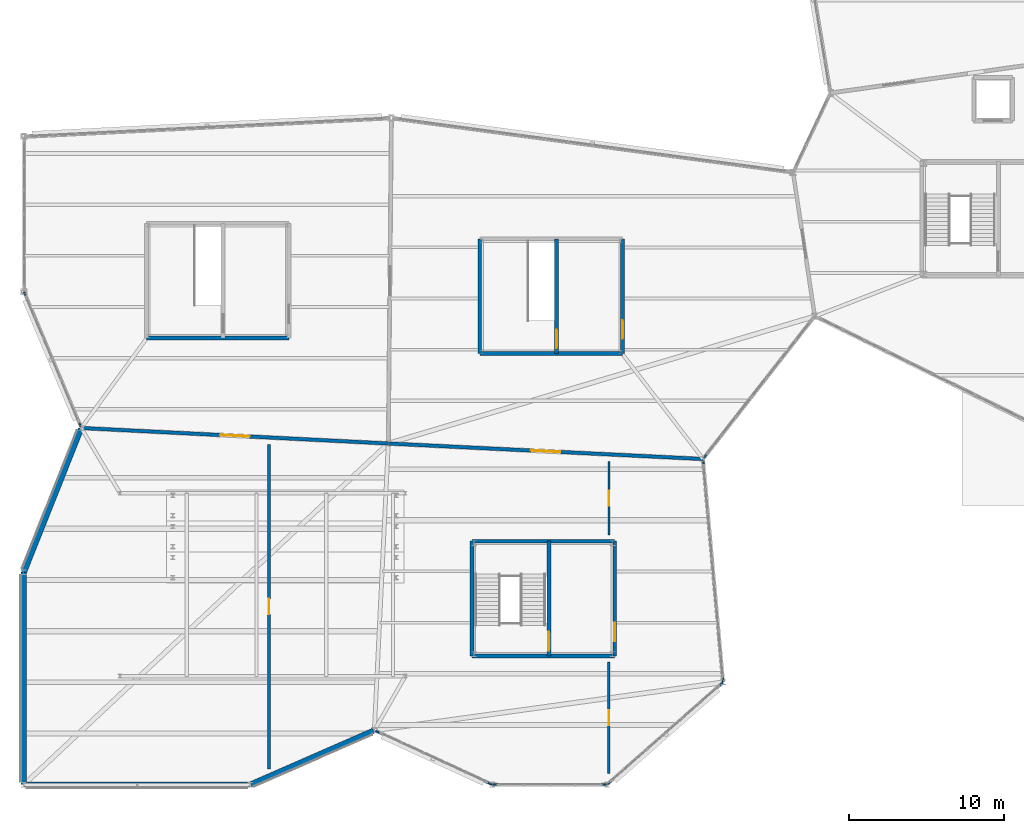
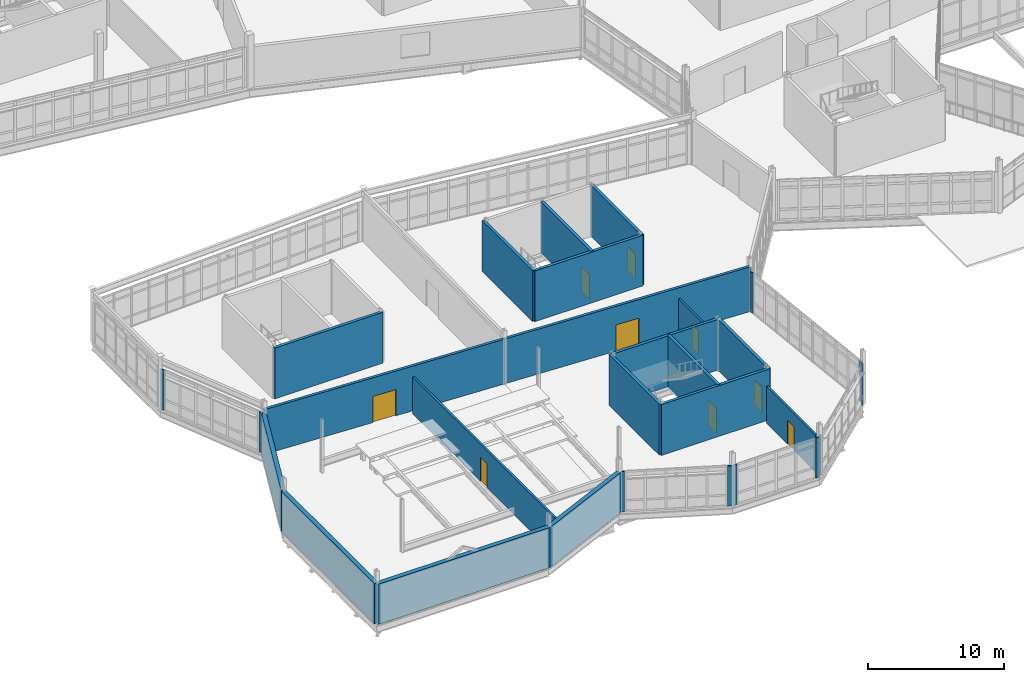
# One storey, part 105 of 134: 30 walls, 9 doors, 9 openings.
"""IFC4 building model written with IfcOpenShell, lengths in metres."""

from ifc_helpers import new_model, si_unit, direction, frame, frame_2d, origin, place, context, subcontext, project, spatial, rectangle, extrude, material, layer, layer_set, type_object, element, fill, save


model = new_model("IFC4")

# Units and contexts
model_context = context("Model", 3, precision=1e-05, world=origin(), true_north=direction((0.0, 1.0)))
body_context = subcontext(model_context, "Body", "Model", "MODEL_VIEW")
ifc_project = project(units=[si_unit("LENGTHUNIT", "METRE"), si_unit("AREAUNIT", "SQUARE_METRE"), si_unit("VOLUMEUNIT", "CUBIC_METRE"), si_unit("PLANEANGLEUNIT", "RADIAN"), si_unit("MASSUNIT", "GRAM", prefix="KILO")], contexts=[model_context])

# Site, building, storey
site_placement = place(None, origin())
site = spatial("IfcSite", under=ifc_project, at=site_placement, CompositionType="ELEMENT")
building_placement = place(site_placement, origin())
building = spatial("IfcBuilding", under=site, at=building_placement, Name="Tameran Prism Museum", CompositionType="ELEMENT")
storey_placement = place(building_placement, frame((0.0, 0.0, 5.39990234375)))
storey = spatial("IfcBuildingStorey", under=building, at=storey_placement, Name="L01", CompositionType="ELEMENT", Elevation=5.39990234375)

# Walls
ifc_material_1 = material(Name="Precast Concrete N40 (40 MPa)", Category="concrete")
ifc_layer_1 = layer(ifc_material_1, 0.360107421875)
ifc_layer_set_1 = layer_set([ifc_layer_1])
wall_type_1 = type_object("IfcWallType", Name="EW-AUD-360", PredefinedType="SOLIDWALL", material=ifc_layer_set_1)
wall_1_placement = place(storey_placement, frame((0.0, 13.699951171875, 0.0), z_axis=(0.0, 0.0, 1.0), x_axis=(0.36968498985, 0.929157149399, 0.0)))
element("IfcWall", 1, at=wall_1_placement, inside=storey, type_object=wall_type_1, Name="Exterior Fluted Precast Wall EW-0227", PredefinedType="SOLIDWALL", context=body_context, shape_type="SweptSolid", body=[
    extrude(rectangle(XDim=9.948974609375, YDim=0.360107421875, at=frame_2d((4.974609375, 0.0))), origin(), (0.0, 0.0, 1.0), 3.6201171875),
])
wall_2_placement = place(storey_placement, frame((0.0, 0.0, 0.0), z_axis=(0.0, 0.0, 1.0), x_axis=(0.0, 1.0, 0.0)))
element("IfcWall", 2, at=wall_2_placement, inside=storey, type_object=wall_type_1, Name="Exterior Fluted Precast Wall EW-0228", PredefinedType="SOLIDWALL", context=body_context, shape_type="SweptSolid", body=[
    extrude(rectangle(XDim=13.699951171875, YDim=0.360107421875, at=frame_2d((6.85009765625, 0.0))), origin(), (0.0, 0.0, 1.0), 3.6201171875),
])
wall_3_placement = place(storey_placement, frame((14.60009765625, 0.0, 0.0), z_axis=(0.0, 0.0, 1.0), x_axis=(-1.0, 0.0, 0.0)))
element("IfcWall", 3, at=wall_3_placement, inside=storey, type_object=wall_type_1, Name="Exterior Fluted Precast Wall EW-0229", PredefinedType="SOLIDWALL", context=body_context, shape_type="SweptSolid", body=[
    extrude(rectangle(XDim=14.60009765625, YDim=0.360107421875, at=frame_2d((7.300048828125, 0.0))), origin(), (0.0, 0.0, 1.0), 3.6201171875),
])
wall_4_placement = place(storey_placement, frame((22.544921875, 3.47607421875, 0.0), z_axis=(0.0, 0.0, 1.0), x_axis=(-0.916148288852, -0.400839510069, 0.0)))
element("IfcWall", 4, at=wall_4_placement, inside=storey, type_object=wall_type_1, Name="Exterior Fluted Precast Wall EW-0230", PredefinedType="SOLIDWALL", context=body_context, shape_type="SweptSolid", body=[
    extrude(rectangle(XDim=8.671875, YDim=0.360107421875, at=frame_2d((4.3359375, 0.0))), origin(), (0.0, 0.0, 1.0), 3.6201171875),
])
ifc_material_2 = material(Name="Precast Concrete N40 (40 MPa)", Category="concrete")
ifc_layer_2 = layer(ifc_material_2, 0.094970703125)
ifc_layer_set_2 = layer_set([ifc_layer_2])
wall_type_2 = type_object("IfcWallType", Name="EW-CLOS-095", PredefinedType="SOLIDWALL", material=ifc_layer_set_2)
for number, where, z_axis, x_axis, name in (
    (5, (30.162109375, 0.01806640625, 0.0), (0.0, 0.0, 1.0), (-0.9095772547, 0.415534857422, 0.0), "Facade Corner Closure EW-0231"),
    (6, (22.971923828125, 3.3291015625, 0.0), (0.0, 0.0, 1.0), (-0.9095772547, 0.415534857422, 0.0), "Facade Corner Closure EW-0232"),
):
    element("IfcWall", number, at=place(storey_placement, frame(where, z_axis=z_axis, x_axis=x_axis)), inside=storey, type_object=wall_type_2, Name=name, PredefinedType="SOLIDWALL", context=body_context, shape_type="SweptSolid", body=[
        extrude(rectangle(XDim=0.307861328125, YDim=0.094970703125, at=frame_2d((0.15380859375, 0.0))), origin(), (0.0, 0.0, 1.0), 3.6201171875),
    ])
for number, where, z_axis, x_axis, name in (
    (7, (37.55810546875, 0.0, 0.0), (0.0, 0.0, 1.0), (-1.0, 0.0, 0.0), "Facade Corner Closure EW-0233"),
    (8, (30.550048828125, 0.0, 0.0), (0.0, 0.0, 1.0), (-1.0, 0.0, 0.0), "Facade Corner Closure EW-0234"),
):
    element("IfcWall", number, at=place(storey_placement, frame(where, z_axis=z_axis, x_axis=x_axis)), inside=storey, type_object=wall_type_2, Name=name, PredefinedType="SOLIDWALL", context=body_context, shape_type="SweptSolid", body=[
        extrude(rectangle(XDim=0.30810546875, YDim=0.094970703125, at=frame_2d((0.154052734375, 0.0))), origin(), (0.0, 0.0, 1.0), 3.6201171875),
    ])
wall_5_placement = place(storey_placement, frame((45.068115234375, 6.572021484375, 0.0), z_axis=(0.0, 0.0, 1.0), x_axis=(-0.75124833206, -0.660019653932, 0.0)))
element("IfcWall", 9, at=wall_5_placement, inside=storey, type_object=wall_type_2, Name="Facade Corner Closure EW-0235", PredefinedType="SOLIDWALL", context=body_context, shape_type="SweptSolid", body=[
    extrude(rectangle(XDim=0.307861328125, YDim=0.094970703125, at=frame_2d((0.15380859375, 0.0))), origin(), (0.0, 0.0, 1.0), 3.6201171875),
])
wall_6_placement = place(storey_placement, frame((37.863037109375, 0.23095703125, 0.0), z_axis=(0.0, 0.0, 1.0), x_axis=(-0.751296149946, -0.659965222627, 0.0)))
element("IfcWall", 10, at=wall_6_placement, inside=storey, type_object=wall_type_2, Name="Facade Corner Closure EW-0236", PredefinedType="SOLIDWALL", context=body_context, shape_type="SweptSolid", body=[
    extrude(rectangle(XDim=0.307373046875, YDim=0.094970703125, at=frame_2d((0.15380859375, 0.0))), origin(), (0.0, 0.0, 1.0), 3.6201171875),
])
for number, where, z_axis, x_axis, name in (
    (11, (43.80908203125, 20.89794921875, 0.0), (0.0, 0.0, 1.0), (0.087176781459, -0.996192857219, 0.0), "Facade Corner Closure EW-0237"),
    (12, (45.069091796875, 6.948974609375, 0.0), (0.0, 0.0, 1.0), (0.087176781459, -0.996192857219, 0.0), "Facade Corner Closure EW-0238"),
    (13, (3.660888671875, 23.093994140625, 0.0), (0.0, 0.0, 1.0), (-0.38894215718, 0.921262176782, 0.0), "Facade Corner Closure EW-0243"),
    (14, (0.135986328125, 31.47705078125, 0.0), (0.0, 0.0, 1.0), (-0.38894215718, 0.921262176782, 0.0), "Facade Corner Closure EW-0244"),
):
    element("IfcWall", number, at=place(storey_placement, frame(where, z_axis=z_axis, x_axis=x_axis)), inside=storey, type_object=wall_type_2, Name=name, PredefinedType="SOLIDWALL", context=body_context, shape_type="SweptSolid", body=[
        extrude(rectangle(XDim=0.30810546875, YDim=0.094970703125, at=frame_2d((0.154052734375, 0.0))), origin(), (0.0, 0.0, 1.0), 3.6201171875),
    ])
wall_7_placement = place(storey_placement, frame((44.052978515625, 21.322998046875, 0.0), z_axis=(0.0, 0.0, 1.0), x_axis=(-0.615966636313, -0.787772240529, 0.0)))
element("IfcWall", 15, at=wall_7_placement, inside=storey, type_object=wall_type_2, Name="Facade Corner Closure EW-0246", PredefinedType="SOLIDWALL", context=body_context, shape_type="SweptSolid", body=[
    extrude(rectangle(XDim=0.308349609375, YDim=0.094970703125, at=frame_2d((0.154296875, 0.0))), origin(), (0.0, 0.0, 1.0), 3.6201171875),
])

# Wall, opening, door
ifc_material_3 = material(Name="Concrete N40 (40 MPa)", Category="concrete")
ifc_layer_3 = layer(ifc_material_3, 0.22509765625)
ifc_layer_set_3 = layer_set([ifc_layer_3])
wall_type_3 = type_object("IfcWallType", Name="IW-CMP-225", PredefinedType="SOLIDWALL", material=ifc_layer_set_3)
wall_8_placement = place(storey_placement, frame((23.5, 22.0, 0.0), z_axis=(0.0, 0.0, 1.0), x_axis=(-0.99872706092, 0.050440636263, 0.0)))
wall_8 = element("IfcWall", 16, at=wall_8_placement, inside=storey, type_object=wall_type_3, Name="Compartment Wall IW-0091", PredefinedType="SOLIDWALL", context=body_context, shape_type="SweptSolid", body=[
    extrude(rectangle(XDim=19.8251953125, YDim=0.22509765625, at=frame_2d((9.91259765625, 0.0))), origin(), (0.0, 0.0, 1.0), 4.02001953125),
])
opening_1_placement = place(wall_8_placement, frame((8.962890625, 0.0, 0.0)))
opening_1 = element("IfcOpeningElement", 17, at=opening_1_placement, cuts=wall_8, Name="Opening ID-0090", PredefinedType="OPENING", context=body_context, shape_type="SweptSolid", body=[
    extrude(rectangle(XDim=1.89990234375, YDim=2.35009765625, at=frame_2d((0.949951171875, 1.175048828125))), frame((0.0, 0.12255859375, 0.0), z_axis=(0.0, -1.0, 0.0), x_axis=(1.0, 0.0, 0.0)), (0.0, 0.0, 1.0), 0.2451171875),
])
ifc_material_4 = material(Name="Fire-Rated Steel Door Leaf and Frame", Category="steel")
door_type_1 = type_object("IfcDoorType", Name="DR-AUD-190", OperationType="DOUBLE_DOOR_SINGLE_SWING", PredefinedType="DOOR", material=ifc_material_4)
door_1_placement = place(opening_1_placement, origin())
door_1 = element("IfcDoor", 18, at=door_1_placement, inside=storey, type_object=door_type_1, Name="Compartment Door ID-0090", OperationType="DOUBLE_DOOR_SINGLE_SWING", OverallHeight=2.35009765625, OverallWidth=1.89990234375, PredefinedType="DOOR", context=body_context, shape_type="SweptSolid", body=[
    extrude(rectangle(XDim=1.89990234375, YDim=2.35009765625, at=frame_2d((0.949951171875, 1.175048828125))), frame((0.0, 0.02490234375, 0.0), z_axis=(0.0, -1.0, 0.0), x_axis=(1.0, 0.0, 0.0)), (0.0, 0.0, 1.0), 0.050048828125),
])
fill(opening_1, door_1)

wall_9_placement = place(storey_placement, frame((43.800048828125, 21.0, 0.0), z_axis=(0.0, 0.0, 1.0), x_axis=(-0.998788882418, 0.049201304434, 0.0)))
wall_9 = element("IfcWall", 19, at=wall_9_placement, inside=storey, type_object=wall_type_3, Name="Compartment Wall IW-0092", PredefinedType="SOLIDWALL", context=body_context, shape_type="SweptSolid", body=[
    extrude(rectangle(XDim=20.32470703125, YDim=0.22509765625, at=frame_2d((10.162353515625, 0.0))), origin(), (0.0, 0.0, 1.0), 4.02001953125),
])
opening_2_placement = place(wall_9_placement, frame((9.2119140625, 0.0, 0.0)))
opening_2 = element("IfcOpeningElement", 20, at=opening_2_placement, cuts=wall_9, Name="Opening ID-0091", PredefinedType="OPENING", context=body_context, shape_type="SweptSolid", body=[
    extrude(rectangle(XDim=1.89990234375, YDim=2.35009765625, at=frame_2d((0.949951171875, 1.175048828125))), frame((0.0, 0.12255859375, 0.0), z_axis=(0.0, -1.0, 0.0), x_axis=(1.0, 0.0, 0.0)), (0.0, 0.0, 1.0), 0.2451171875),
])
door_2_placement = place(opening_2_placement, origin())
door_2 = element("IfcDoor", 21, at=door_2_placement, inside=storey, type_object=door_type_1, Name="Compartment Door ID-0091", OperationType="DOUBLE_DOOR_SINGLE_SWING", OverallHeight=2.35009765625, OverallWidth=1.89990234375, PredefinedType="DOOR", context=body_context, shape_type="SweptSolid", body=[
    extrude(rectangle(XDim=1.89990234375, YDim=2.35009765625, at=frame_2d((0.949951171875, 1.175048828125))), frame((0.0, 0.02490234375, 0.0), z_axis=(0.0, -1.0, 0.0), x_axis=(1.0, 0.0, 0.0)), (0.0, 0.0, 1.0), 0.050048828125),
])
fill(opening_2, door_2)

# Walls
ifc_material_5 = material(Name="Concrete N40 (40 MPa)", Category="concrete")
ifc_layer_4 = layer(ifc_material_5, 0.25)
ifc_layer_set_4 = layer_set([ifc_layer_4])
wall_type_4 = type_object("IfcWallType", Name="IW-COR-250", PredefinedType="SHEAR", material=ifc_layer_set_4)
wall_10_placement = place(storey_placement, frame((28.89990234375, 8.300048828125, 0.0), z_axis=(0.0, 0.0, 1.0), x_axis=(0.0, 1.0, 0.0)))
element("IfcWall", 22, at=wall_10_placement, inside=storey, type_object=wall_type_4, Name="Core Shear Wall CW-6-L01-W", PredefinedType="SHEAR", context=body_context, shape_type="SweptSolid", body=[
    extrude(rectangle(XDim=7.39990234375, YDim=0.25, at=frame_2d((3.699951171875, 0.0))), origin(), (0.0, 0.0, 1.0), 4.56005859375),
])
for number, where, z_axis, x_axis, name in (
    (23, (28.89990234375, 15.699951171875, 0.0), (0.0, 0.0, 1.0), (1.0, 0.0, 0.0), "Core Shear Wall CW-6-L01-N"),
    (24, (38.10009765625, 8.300048828125, 0.0), (0.0, 0.0, 1.0), (-1.0, 0.0, 0.0), "Core Shear Wall CW-6-L01-S"),
):
    element("IfcWall", number, at=place(storey_placement, frame(where, z_axis=z_axis, x_axis=x_axis)), inside=storey, type_object=wall_type_4, Name=name, PredefinedType="SHEAR", context=body_context, shape_type="SweptSolid", body=[
        extrude(rectangle(XDim=9.2001953125, YDim=0.25, at=frame_2d((4.60009765625, 0.0))), origin(), (0.0, 0.0, 1.0), 4.56005859375),
    ])

# Wall, opening, door
wall_11_placement = place(storey_placement, frame((38.10009765625, 15.699951171875, 0.0), z_axis=(0.0, 0.0, 1.0), x_axis=(0.0, -1.0, 0.0)))
wall_11 = element("IfcWall", 25, at=wall_11_placement, inside=storey, type_object=wall_type_4, Name="Core Shear Wall CW-6-L01-E", PredefinedType="SHEAR", context=body_context, shape_type="SweptSolid", body=[
    extrude(rectangle(XDim=7.39990234375, YDim=0.25, at=frame_2d((3.699951171875, 0.0))), origin(), (0.0, 0.0, 1.0), 4.56005859375),
])
opening_3_placement = place(wall_11_placement, frame((5.25, 0.0, 0.0)))
opening_3 = element("IfcOpeningElement", 26, at=opening_3_placement, cuts=wall_11, Name="Opening FD-0255", PredefinedType="OPENING", context=body_context, shape_type="SweptSolid", body=[
    extrude(rectangle(XDim=1.199951171875, YDim=2.199951171875, at=frame_2d((0.60009765625, 1.10009765625))), frame((0.0, 0.135009765625, 0.0), z_axis=(0.0, -1.0, 0.0), x_axis=(1.0, 0.0, 0.0)), (0.0, 0.0, 1.0), 0.27001953125),
])
ifc_material_6 = material(Name="Fire-Rated Steel Door Leaf and Frame", Category="steel")
door_type_2 = type_object("IfcDoorType", Name="DR-FD-120A", OperationType="NOTDEFINED", PredefinedType="DOOR", material=ifc_material_6)
door_3_placement = place(opening_3_placement, origin())
door_3 = element("IfcDoor", 27, at=door_3_placement, inside=storey, type_object=door_type_2, Name="Core Fire Door FD-0255", OperationType="SINGLE_SWING_LEFT", OverallHeight=2.199951171875, OverallWidth=1.199951171875, PredefinedType="DOOR", context=body_context, shape_type="SweptSolid", body=[
    extrude(rectangle(XDim=1.199951171875, YDim=2.199951171875, at=frame_2d((0.60009765625, 1.10009765625))), frame((0.0, 0.02490234375, 0.0), z_axis=(0.0, -1.0, 0.0), x_axis=(1.0, 0.0, 0.0)), (0.0, 0.0, 1.0), 0.050048828125),
])
fill(opening_3, door_3)

wall_12_placement = place(storey_placement, frame((33.85009765625, 15.699951171875, 0.0), z_axis=(0.0, 0.0, 1.0), x_axis=(0.0, -1.0, 0.0)))
wall_12 = element("IfcWall", 28, at=wall_12_placement, inside=storey, type_object=wall_type_4, Name="Core Shear Wall CW-6-L01-M", PredefinedType="SHEAR", context=body_context, shape_type="SweptSolid", body=[
    extrude(rectangle(XDim=7.39990234375, YDim=0.25, at=frame_2d((3.699951171875, 0.0))), origin(), (0.0, 0.0, 1.0), 4.56005859375),
])
opening_4_placement = place(wall_12_placement, frame((5.85009765625, 0.0, 0.0)))
opening_4 = element("IfcOpeningElement", 29, at=opening_4_placement, cuts=wall_12, Name="Opening FD-0256", PredefinedType="OPENING", context=body_context, shape_type="SweptSolid", body=[
    extrude(rectangle(XDim=1.199951171875, YDim=2.199951171875, at=frame_2d((0.60009765625, 1.10009765625))), frame((0.0, 0.135009765625, 0.0), z_axis=(0.0, -1.0, 0.0), x_axis=(1.0, 0.0, 0.0)), (0.0, 0.0, 1.0), 0.27001953125),
])
door_4_placement = place(opening_4_placement, origin())
door_4 = element("IfcDoor", 30, at=door_4_placement, inside=storey, type_object=door_type_2, Name="Core Fire Door FD-0256", OperationType="SINGLE_SWING_RIGHT", OverallHeight=2.199951171875, OverallWidth=1.199951171875, PredefinedType="DOOR", context=body_context, shape_type="SweptSolid", body=[
    extrude(rectangle(XDim=1.199951171875, YDim=2.199951171875, at=frame_2d((0.60009765625, 1.10009765625))), frame((0.0, 0.02490234375, 0.0), z_axis=(0.0, -1.0, 0.0), x_axis=(1.0, 0.0, 0.0)), (0.0, 0.0, 1.0), 0.050048828125),
])
fill(opening_4, door_4)

# Walls
wall_13_placement = place(storey_placement, frame((17.10009765625, 28.800048828125, 0.0), z_axis=(0.0, 0.0, 1.0), x_axis=(-1.0, 0.0, 0.0)))
element("IfcWall", 31, at=wall_13_placement, inside=storey, type_object=wall_type_4, Name="Core Shear Wall CW-10-L01-S", PredefinedType="SHEAR", context=body_context, shape_type="SweptSolid", body=[
    extrude(rectangle(XDim=9.2001953125, YDim=0.25, at=frame_2d((4.60009765625, 0.0))), origin(), (0.0, 0.0, 1.0), 4.56005859375),
])
wall_14_placement = place(storey_placement, frame((29.39990234375, 27.800048828125, 0.0), z_axis=(0.0, 0.0, 1.0), x_axis=(0.0, 1.0, 0.0)))
element("IfcWall", 32, at=wall_14_placement, inside=storey, type_object=wall_type_4, Name="Core Shear Wall CW-12-L01-W", PredefinedType="SHEAR", context=body_context, shape_type="SweptSolid", body=[
    extrude(rectangle(XDim=7.39990234375, YDim=0.25, at=frame_2d((3.699951171875, 0.0))), origin(), (0.0, 0.0, 1.0), 4.56005859375),
])
wall_15_placement = place(storey_placement, frame((38.60009765625, 27.800048828125, 0.0), z_axis=(0.0, 0.0, 1.0), x_axis=(-1.0, 0.0, 0.0)))
element("IfcWall", 33, at=wall_15_placement, inside=storey, type_object=wall_type_4, Name="Core Shear Wall CW-12-L01-S", PredefinedType="SHEAR", context=body_context, shape_type="SweptSolid", body=[
    extrude(rectangle(XDim=9.2001953125, YDim=0.25, at=frame_2d((4.60009765625, 0.0))), origin(), (0.0, 0.0, 1.0), 4.56005859375),
])

# Wall, opening, door
wall_16_placement = place(storey_placement, frame((38.60009765625, 35.199951171875, 0.0), z_axis=(0.0, 0.0, 1.0), x_axis=(0.0, -1.0, 0.0)))
wall_16 = element("IfcWall", 34, at=wall_16_placement, inside=storey, type_object=wall_type_4, Name="Core Shear Wall CW-12-L01-E", PredefinedType="SHEAR", context=body_context, shape_type="SweptSolid", body=[
    extrude(rectangle(XDim=7.39990234375, YDim=0.25, at=frame_2d((3.699951171875, 0.0))), origin(), (0.0, 0.0, 1.0), 4.56005859375),
])
opening_5_placement = place(wall_16_placement, frame((5.25, 0.0, 0.0)))
opening_5 = element("IfcOpeningElement", 35, at=opening_5_placement, cuts=wall_16, Name="Opening FD-0279", PredefinedType="OPENING", context=body_context, shape_type="SweptSolid", body=[
    extrude(rectangle(XDim=1.199951171875, YDim=2.199951171875, at=frame_2d((0.60009765625, 1.10009765625))), frame((0.0, 0.135009765625, 0.0), z_axis=(0.0, -1.0, 0.0), x_axis=(1.0, 0.0, 0.0)), (0.0, 0.0, 1.0), 0.27001953125),
])
door_5_placement = place(opening_5_placement, origin())
door_5 = element("IfcDoor", 36, at=door_5_placement, inside=storey, type_object=door_type_2, Name="Core Fire Door FD-0279", OperationType="SINGLE_SWING_LEFT", OverallHeight=2.199951171875, OverallWidth=1.199951171875, PredefinedType="DOOR", context=body_context, shape_type="SweptSolid", body=[
    extrude(rectangle(XDim=1.199951171875, YDim=2.199951171875, at=frame_2d((0.60009765625, 1.10009765625))), frame((0.0, 0.02490234375, 0.0), z_axis=(0.0, -1.0, 0.0), x_axis=(1.0, 0.0, 0.0)), (0.0, 0.0, 1.0), 0.050048828125),
])
fill(opening_5, door_5)

wall_17_placement = place(storey_placement, frame((34.35009765625, 35.199951171875, 0.0), z_axis=(0.0, 0.0, 1.0), x_axis=(0.0, -1.0, 0.0)))
wall_17 = element("IfcWall", 37, at=wall_17_placement, inside=storey, type_object=wall_type_4, Name="Core Shear Wall CW-12-L01-M", PredefinedType="SHEAR", context=body_context, shape_type="SweptSolid", body=[
    extrude(rectangle(XDim=7.39990234375, YDim=0.25, at=frame_2d((3.699951171875, 0.0))), origin(), (0.0, 0.0, 1.0), 4.56005859375),
])
opening_6_placement = place(wall_17_placement, frame((5.85009765625, 0.0, 0.0)))
opening_6 = element("IfcOpeningElement", 38, at=opening_6_placement, cuts=wall_17, Name="Opening FD-0280", PredefinedType="OPENING", context=body_context, shape_type="SweptSolid", body=[
    extrude(rectangle(XDim=1.199951171875, YDim=2.199951171875, at=frame_2d((0.60009765625, 1.10009765625))), frame((0.0, 0.135009765625, 0.0), z_axis=(0.0, -1.0, 0.0), x_axis=(1.0, 0.0, 0.0)), (0.0, 0.0, 1.0), 0.27001953125),
])
door_6_placement = place(opening_6_placement, origin())
door_6 = element("IfcDoor", 39, at=door_6_placement, inside=storey, type_object=door_type_2, Name="Core Fire Door FD-0280", OperationType="SINGLE_SWING_RIGHT", OverallHeight=2.199951171875, OverallWidth=1.199951171875, PredefinedType="DOOR", context=body_context, shape_type="SweptSolid", body=[
    extrude(rectangle(XDim=1.199951171875, YDim=2.199951171875, at=frame_2d((0.60009765625, 1.10009765625))), frame((0.0, 0.02490234375, 0.0), z_axis=(0.0, -1.0, 0.0), x_axis=(1.0, 0.0, 0.0)), (0.0, 0.0, 1.0), 0.050048828125),
])
fill(opening_6, door_6)

ifc_material_7 = material(Name="Laboratory Moisture-Resistant Partition")
ifc_layer_5 = layer(ifc_material_7, 0.14990234375)
ifc_layer_set_5 = layer_set([ifc_layer_5])
wall_type_5 = type_object("IfcWallType", Name="IW-PRT-150", PredefinedType="PARTITIONING", material=ifc_layer_set_5)
wall_18_placement = place(storey_placement, frame((37.72998046875, 16.10009765625, 0.0), z_axis=(0.0, 0.0, 1.0), x_axis=(0.0, 1.0, 0.0)))
wall_18 = element("IfcWall", 40, at=wall_18_placement, inside=storey, type_object=wall_type_5, Name="Internal Partition PT-0107", PredefinedType="PARTITIONING", context=body_context, shape_type="SweptSolid", body=[
    extrude(rectangle(XDim=4.747802734375, YDim=0.14990234375, at=frame_2d((2.3740234375, 0.0))), origin(), (0.0, 0.0, 1.0), 3.320068359375),
])
opening_7_placement = place(wall_18_placement, frame((1.884033203125, 0.0, 0.0)))
opening_7 = element("IfcOpeningElement", 41, at=opening_7_placement, cuts=wall_18, Name="Opening ID-0106", PredefinedType="OPENING", context=body_context, shape_type="SweptSolid", body=[
    extrude(rectangle(XDim=0.97998046875, YDim=2.14990234375, at=frame_2d((0.489990234375, 1.074951171875))), frame((0.0, 0.0849609375, 0.0), z_axis=(0.0, -1.0, 0.0), x_axis=(1.0, 0.0, 0.0)), (0.0, 0.0, 1.0), 0.169921875),
])
ifc_material_8 = material(Name="Acoustic Solid-Core Timber Door", Category="wood")
door_type_3 = type_object("IfcDoorType", Name="DR-INT-098", OperationType="NOTDEFINED", PredefinedType="DOOR", material=ifc_material_8)
door_7_placement = place(opening_7_placement, origin())
door_7 = element("IfcDoor", 42, at=door_7_placement, inside=storey, type_object=door_type_3, Name="Interior Room Door ID-0106", OperationType="SINGLE_SWING_LEFT", OverallHeight=2.14990234375, OverallWidth=0.97998046875, PredefinedType="DOOR", context=body_context, shape_type="SweptSolid", body=[
    extrude(rectangle(XDim=0.97998046875, YDim=2.14990234375, at=frame_2d((0.489990234375, 1.074951171875))), frame((0.0, 0.02490234375, 0.0), z_axis=(0.0, -1.0, 0.0), x_axis=(1.0, 0.0, 0.0)), (0.0, 0.0, 1.0), 0.050048828125),
])
fill(opening_7, door_7)

ifc_material_9 = material(Name="Fire-Rated Corridor Stud Partition")
ifc_layer_6 = layer(ifc_material_9, 0.159912109375)
ifc_layer_set_6 = layer_set([ifc_layer_6])
wall_type_6 = type_object("IfcWallType", Name="IW-PRT-160", PredefinedType="PARTITIONING", material=ifc_layer_set_6)
wall_19_placement = place(storey_placement, frame((37.72998046875, 0.714111328125, 0.0), z_axis=(0.0, 0.0, 1.0), x_axis=(0.0, 1.0, 0.0)))
wall_19 = element("IfcWall", 43, at=wall_19_placement, inside=storey, type_object=wall_type_6, Name="Internal Partition PT-0106", PredefinedType="PARTITIONING", context=body_context, shape_type="SweptSolid", body=[
    extrude(rectangle(XDim=7.185791015625, YDim=0.159912109375, at=frame_2d((3.5927734375, 0.0))), origin(), (0.0, 0.0, 1.0), 3.320068359375),
])
opening_8_placement = place(wall_19_placement, frame((3.10302734375, 0.0, 0.0)))
opening_8 = element("IfcOpeningElement", 44, at=opening_8_placement, cuts=wall_19, Name="Opening ID-0105", PredefinedType="OPENING", context=body_context, shape_type="SweptSolid", body=[
    extrude(rectangle(XDim=0.97998046875, YDim=2.14990234375, at=frame_2d((0.489990234375, 1.074951171875))), frame((0.0, 0.08984375, 0.0), z_axis=(0.0, -1.0, 0.0), x_axis=(1.0, 0.0, 0.0)), (0.0, 0.0, 1.0), 0.179931640625),
])
door_8_placement = place(opening_8_placement, origin())
door_8 = element("IfcDoor", 45, at=door_8_placement, inside=storey, type_object=door_type_3, Name="Interior Room Door ID-0105", OperationType="SINGLE_SWING_RIGHT", OverallHeight=2.14990234375, OverallWidth=0.97998046875, PredefinedType="DOOR", context=body_context, shape_type="SweptSolid", body=[
    extrude(rectangle(XDim=0.97998046875, YDim=2.14990234375, at=frame_2d((0.489990234375, 1.074951171875))), frame((0.0, 0.02490234375, 0.0), z_axis=(0.0, -1.0, 0.0), x_axis=(1.0, 0.0, 0.0)), (0.0, 0.0, 1.0), 0.050048828125),
])
fill(opening_8, door_8)

ifc_material_10 = material(Name="Gallery Plywood-Backed Stud Partition", Category="wood")
ifc_layer_7 = layer(ifc_material_10, 0.169921875)
ifc_layer_set_7 = layer_set([ifc_layer_7])
wall_type_7 = type_object("IfcWallType", Name="IW-PRT-170", PredefinedType="PARTITIONING", material=ifc_layer_set_7)
wall_20_placement = place(storey_placement, frame((15.803955078125, 1.01806640625, 0.0), z_axis=(0.0, 0.0, 1.0), x_axis=(0.0, 1.0, 0.0)))
wall_20 = element("IfcWall", 46, at=wall_20_placement, inside=storey, type_object=wall_type_7, Name="Internal Partition PT-0105", PredefinedType="PARTITIONING", context=body_context, shape_type="SweptSolid", body=[
    extrude(rectangle(XDim=20.919921875, YDim=0.169921875, at=frame_2d((10.4599609375, 0.0))), origin(), (0.0, 0.0, 1.0), 3.320068359375),
])
opening_9_placement = place(wall_20_placement, frame((9.9599609375, 0.0, 0.0)))
opening_9 = element("IfcOpeningElement", 47, at=opening_9_placement, cuts=wall_20, Name="Opening ID-0104", PredefinedType="OPENING", context=body_context, shape_type="SweptSolid", body=[
    extrude(rectangle(XDim=1.0, YDim=2.14990234375, at=frame_2d((0.5, 1.074951171875))), frame((0.0, 0.094970703125, 0.0), z_axis=(0.0, -1.0, 0.0), x_axis=(1.0, 0.0, 0.0)), (0.0, 0.0, 1.0), 0.18994140625),
])
ifc_material_11 = material(Name="Acoustic Solid-Core Timber Door", Category="wood")
door_type_4 = type_object("IfcDoorType", Name="DR-INT-100", OperationType="NOTDEFINED", PredefinedType="DOOR", material=ifc_material_11)
door_9_placement = place(opening_9_placement, origin())
door_9 = element("IfcDoor", 48, at=door_9_placement, inside=storey, type_object=door_type_4, Name="Interior Room Door ID-0104", OperationType="SINGLE_SWING_LEFT", OverallHeight=2.14990234375, OverallWidth=1.0, PredefinedType="DOOR", context=body_context, shape_type="SweptSolid", body=[
    extrude(rectangle(XDim=1.0, YDim=2.14990234375, at=frame_2d((0.5, 1.074951171875))), frame((0.0, 0.02490234375, 0.0), z_axis=(0.0, -1.0, 0.0), x_axis=(1.0, 0.0, 0.0)), (0.0, 0.0, 1.0), 0.050048828125),
])
fill(opening_9, door_9)

save(model, "model.ifc")
